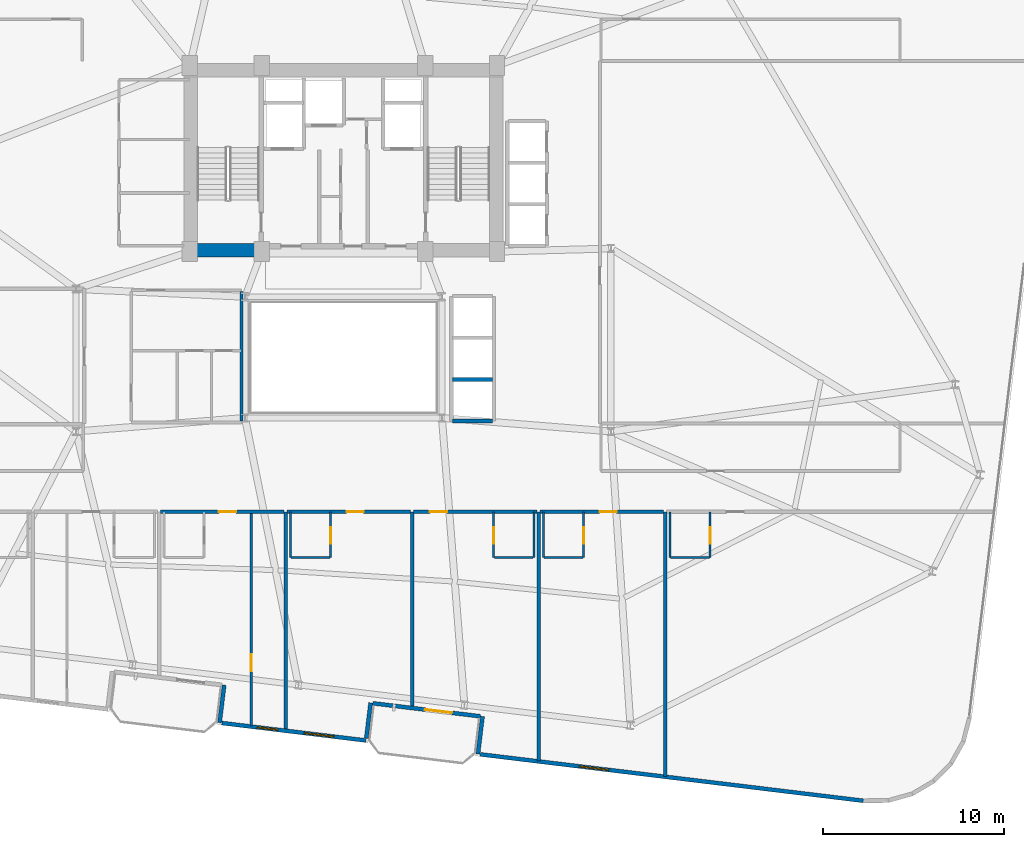
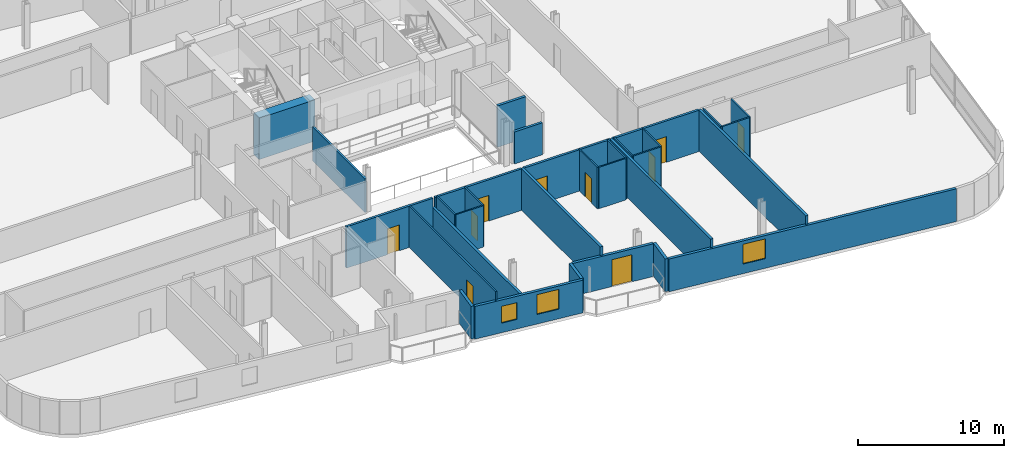
# One storey, part 21 of 26: 31 walls, 10 doors, 3 windows, 13 openings.
"""IFC4 building model written with IfcOpenShell, lengths in metres."""

from ifc_helpers import new_model, si_unit, direction, frame, frame_2d, origin, place, context, subcontext, project, spatial, rectangle, extrude, material, layer, layer_set, type_object, element, fill, save


model = new_model("IFC4")

# Units and contexts
model_context = context("Model", 3, precision=1e-05, world=origin(), true_north=direction((0.0, 1.0)))
body_context = subcontext(model_context, "Body", "Model", "MODEL_VIEW")
ifc_project = project(units=[si_unit("LENGTHUNIT", "METRE"), si_unit("AREAUNIT", "SQUARE_METRE"), si_unit("VOLUMEUNIT", "CUBIC_METRE"), si_unit("PLANEANGLEUNIT", "RADIAN"), si_unit("MASSUNIT", "GRAM", prefix="KILO")], contexts=[model_context])

# Site, building, storey
site_placement = place(None, origin())
site = spatial("IfcSite", under=ifc_project, at=site_placement, CompositionType="ELEMENT")
building_placement = place(site_placement, origin())
building = spatial("IfcBuilding", under=site, at=building_placement, Name="Varnelok Gate Tower", CompositionType="ELEMENT")
storey_placement = place(building_placement, frame((0.0, 0.0, 155.0)))
storey = spatial("IfcBuildingStorey", under=building, at=storey_placement, Name="L39", CompositionType="ELEMENT", Elevation=155.0)

# Wall, opening, door
ifc_material_1 = material(Name="Concrete C45/55", Category="concrete")
ifc_layer_1 = layer(ifc_material_1, 0.219970703125)
ifc_layer_set_1 = layer_set([ifc_layer_1], Name="Concrete C45/55")
wall_type_1 = type_object("IfcWallType", Name="EW-BALC-220", PredefinedType="SOLIDWALL", material=ifc_layer_set_1)
wall_1_placement = place(storey_placement, frame((46.77587890625, 3.03662109375, 0.0), z_axis=(0.0, 0.0, 1.0), x_axis=(-0.992735402148, 0.120318000826, 0.0)))
wall_1 = element("IfcWall", 1, at=wall_1_placement, inside=storey, type_object=wall_type_1, Name="L39 South Terrace Envelope Wall 2", PredefinedType="SOLIDWALL", context=body_context, shape_type="SweptSolid", body=[
    extrude(rectangle(XDim=6.000244140625, YDim=0.219970703125, at=frame_2d((3.0, 0.0))), origin(), (0.0, 0.0, 1.0), 2.72998046875),
])
opening_1_placement = place(wall_1_placement, frame((1.583984375, 0.0, 0.0)))
opening_1 = element("IfcOpeningElement", 2, at=opening_1_placement, cuts=wall_1, Name="Opening BD-1", PredefinedType="OPENING", context=body_context, shape_type="SweptSolid", body=[
    extrude(rectangle(XDim=1.5, YDim=2.25, at=frame_2d((0.75, 1.125))), frame((0.0, 0.119873046875, 0.0), z_axis=(0.0, -1.0, 0.0), x_axis=(1.0, 0.0, 0.0)), (0.0, 0.0, 1.0), 0.239990234375),
])
ifc_material_2 = material(Name="Anodized Aluminum Alloy 6063-T6", Category="aluminium")
door_type_1 = type_object("IfcDoorType", Name="DR-EXT-BALC1500", OperationType="NOTDEFINED", PredefinedType="DOOR", material=ifc_material_2)
door_1_placement = place(opening_1_placement, origin())
door_1 = element("IfcDoor", 3, at=door_1_placement, inside=storey, type_object=door_type_1, Name="L39 South Balcony Glazed Door 2", OperationType="SINGLE_SWING_LEFT", OverallHeight=2.25, OverallWidth=1.5, PredefinedType="DOOR", context=body_context, shape_type="SweptSolid", body=[
    extrude(rectangle(XDim=1.5, YDim=2.25, at=frame_2d((0.75, 1.125))), frame((0.0, 0.02490234375, 0.0), z_axis=(0.0, -1.0, 0.0), x_axis=(1.0, 0.0, 0.0)), (0.0, 0.0, 1.0), 0.050048828125),
])
fill(opening_1, door_1)

# Wall
wall_2_placement = place(storey_placement, frame((32.600830078125, 4.764892578125, 0.0), z_axis=(0.0, 0.0, 1.0), x_axis=(-0.120327895535, -0.992734202874, 0.0)))
element("IfcWall", 4, at=wall_2_placement, inside=storey, type_object=wall_type_1, Name="L39 Perimeter Facade Closure Wall 9", PredefinedType="SOLIDWALL", context=body_context, shape_type="SweptSolid", body=[
    extrude(rectangle(XDim=2.099853515625, YDim=0.219970703125, at=frame_2d((1.0498046875, 0.0))), origin(), (0.0, 0.0, 1.0), 2.72998046875),
])

# Wall, openings, windows
wall_3_placement = place(storey_placement, frame((32.47216796875, 2.6650390625, 0.0), z_axis=(0.0, 0.0, 1.0), x_axis=(0.992734661931, -0.120324108143, 0.0)))
wall_3 = element("IfcWall", 5, at=wall_3_placement, inside=storey, type_object=wall_type_1, Name="L39 Perimeter Facade Closure Wall 10", PredefinedType="SOLIDWALL", context=body_context, shape_type="SweptSolid", body=[
    extrude(rectangle(XDim=8.034912109375, YDim=0.219970703125, at=frame_2d((4.017578125, 0.0))), origin(), (0.0, 0.0, 1.0), 2.72998046875),
])
opening_2_placement = place(wall_3_placement, frame((4.59716796875, 0.0, 0.800048828125)))
opening_2 = element("IfcOpeningElement", 6, at=opening_2_placement, cuts=wall_3, Name="Opening WN3", PredefinedType="OPENING", context=body_context, shape_type="SweptSolid", body=[
    extrude(rectangle(XDim=1.64990234375, YDim=1.64990234375, at=frame_2d((0.824951171875, 0.824951171875))), frame((0.0, 0.119873046875, 0.0), z_axis=(0.0, -1.0, 0.0), x_axis=(1.0, 0.0, 0.0)), (0.0, 0.0, 1.0), 0.239990234375),
])
opening_3_placement = place(wall_3_placement, frame((1.968505859375, 0.0, 0.800048828125)))
opening_3 = element("IfcOpeningElement", 7, at=opening_3_placement, cuts=wall_3, Name="Opening WN8", PredefinedType="OPENING", context=body_context, shape_type="SweptSolid", body=[
    extrude(rectangle(XDim=1.14990234375, YDim=1.39990234375, at=frame_2d((0.574951171875, 0.699951171875))), frame((0.0, 0.119873046875, 0.0), z_axis=(0.0, -1.0, 0.0), x_axis=(1.0, 0.0, 0.0)), (0.0, 0.0, 1.0), 0.239990234375),
])
ifc_material_3 = material(Name="Low-E Laminated Double Glazing IGU", Category="glass")
window_type_1 = type_object("IfcWindowType", Name="WN-BED-1150", PartitioningType="SINGLE_PANEL", PredefinedType="WINDOW", material=ifc_material_3)
window_1_placement = place(opening_3_placement, origin())
window_1 = element("IfcWindow", 8, at=window_1_placement, inside=storey, type_object=window_type_1, Name="L39 Bedroom Vision Window 17", OverallHeight=1.39990234375, OverallWidth=1.14990234375, PartitioningType="SINGLE_PANEL", PredefinedType="WINDOW", context=body_context, shape_type="SweptSolid", body=[
    extrude(rectangle(XDim=1.14990234375, YDim=1.39990234375, at=frame_2d((0.574951171875, 0.699951171875))), frame((0.0, 0.030029296875, 0.0), z_axis=(0.0, -1.0, 0.0), x_axis=(1.0, 0.0, 0.0)), (0.0, 0.0, 1.0), 0.06005859375),
])
fill(opening_3, window_1)
window_type_2 = type_object("IfcWindowType", Name="WN-HTL-1650", PartitioningType="SINGLE_PANEL", PredefinedType="WINDOW", material=ifc_material_3)
window_2_placement = place(opening_2_placement, origin())
window_2 = element("IfcWindow", 9, at=window_2_placement, inside=storey, type_object=window_type_2, Name="L39 Perimeter Vision Window 10", OverallHeight=1.64990234375, OverallWidth=1.64990234375, PartitioningType="SINGLE_PANEL", PredefinedType="WINDOW", context=body_context, shape_type="SweptSolid", body=[
    extrude(rectangle(XDim=1.64990234375, YDim=1.64990234375, at=frame_2d((0.824951171875, 0.824951171875))), frame((0.0, 0.030029296875, 0.0), z_axis=(0.0, -1.0, 0.0), x_axis=(1.0, 0.0, 0.0)), (0.0, 0.0, 1.0), 0.06005859375),
])
fill(opening_2, window_2)

# Walls
wall_4_placement = place(storey_placement, frame((40.4638671875, 1.822265625, 0.0), z_axis=(0.0, 0.0, 1.0), x_axis=(0.120275992932, 0.992740492538, 0.0)))
element("IfcWall", 10, at=wall_4_placement, inside=storey, type_object=wall_type_1, Name="L39 Perimeter Facade Closure Wall 11", PredefinedType="SOLIDWALL", context=body_context, shape_type="SweptSolid", body=[
    extrude(rectangle(XDim=1.97509765625, YDim=0.219970703125, at=frame_2d((0.987548828125, 0.0))), origin(), (0.0, 0.0, 1.0), 2.72998046875),
])
wall_5_placement = place(storey_placement, frame((46.89599609375, 3.031982421875, 0.0), z_axis=(0.0, 0.0, 1.0), x_axis=(-0.120327895535, -0.992734202874, 0.0)))
element("IfcWall", 11, at=wall_5_placement, inside=storey, type_object=wall_type_1, Name="L39 Perimeter Facade Closure Wall 12", PredefinedType="SOLIDWALL", context=body_context, shape_type="SweptSolid", body=[
    extrude(rectangle(XDim=2.099853515625, YDim=0.219970703125, at=frame_2d((1.0498046875, 0.0))), origin(), (0.0, 0.0, 1.0), 2.72998046875),
])

# Wall, opening, window
wall_6_placement = place(storey_placement, frame((46.767578125, 0.93212890625, 0.0), z_axis=(0.0, 0.0, 1.0), x_axis=(0.992733036814, -0.120337515419, 0.0)))
wall_6 = element("IfcWall", 12, at=wall_6_placement, inside=storey, type_object=wall_type_1, Name="L39 Perimeter Facade Closure Wall 13", PredefinedType="SOLIDWALL", context=body_context, shape_type="SweptSolid", body=[
    extrude(rectangle(XDim=21.346923828125, YDim=0.219970703125, at=frame_2d((10.67333984375, 0.0))), origin(), (0.0, 0.0, 1.0), 2.72998046875),
])
opening_4_placement = place(wall_6_placement, frame((5.51513671875, 0.0, 0.800048828125)))
opening_4 = element("IfcOpeningElement", 13, at=opening_4_placement, cuts=wall_6, Name="Opening WN3", PredefinedType="OPENING", context=body_context, shape_type="SweptSolid", body=[
    extrude(rectangle(XDim=1.64990234375, YDim=1.64990234375, at=frame_2d((0.824951171875, 0.824951171875))), frame((0.0, 0.119873046875, 0.0), z_axis=(0.0, -1.0, 0.0), x_axis=(1.0, 0.0, 0.0)), (0.0, 0.0, 1.0), 0.239990234375),
])
window_3_placement = place(opening_4_placement, origin())
window_3 = element("IfcWindow", 14, at=window_3_placement, inside=storey, type_object=window_type_2, Name="L39 Perimeter Vision Window 13", OverallHeight=1.64990234375, OverallWidth=1.64990234375, PartitioningType="SINGLE_PANEL", PredefinedType="WINDOW", context=body_context, shape_type="SweptSolid", body=[
    extrude(rectangle(XDim=1.64990234375, YDim=1.64990234375, at=frame_2d((0.824951171875, 0.824951171875))), frame((0.0, 0.030029296875, 0.0), z_axis=(0.0, -1.0, 0.0), x_axis=(1.0, 0.0, 0.0)), (0.0, 0.0, 1.0), 0.06005859375),
])
fill(opening_4, window_3)

# Wall, opening, door
ifc_material_4 = material(Name="Gypsum Plasterboard Acoustic Partition", Category="gypsum")
ifc_layer_2 = layer(ifc_material_4, 0.179931640625)
ifc_layer_set_2 = layer_set([ifc_layer_2], Name="Gypsum Plasterboard Acoustic Partition")
wall_type_2 = type_object("IfcWallType", Name="PW-CORR-180", PredefinedType="PARTITIONING", material=ifc_layer_set_2)
wall_7_placement = place(storey_placement, frame((29.080078125, 14.35009765625, 0.0), z_axis=(0.0, 0.0, 1.0), x_axis=(1.0, 0.0, 0.0)))
wall_7 = element("IfcWall", 15, at=wall_7_placement, inside=storey, type_object=wall_type_2, Name="Interior Partition", PredefinedType="PARTITIONING", context=body_context, shape_type="SweptSolid", body=[
    extrude(rectangle(XDim=6.83984375, YDim=0.179931640625, at=frame_2d((3.419921875, 0.0))), origin(), (0.0, 0.0, 1.0), 3.449951171875),
])
opening_5_placement = place(wall_7_placement, frame((3.22998046875, 0.0, 0.0)))
opening_5 = element("IfcOpeningElement", 16, at=opening_5_placement, cuts=wall_7, Name="Opening D-HT", PredefinedType="OPENING", context=body_context, shape_type="SweptSolid", body=[
    extrude(rectangle(XDim=0.949951171875, YDim=2.14990234375, at=frame_2d((0.47509765625, 1.074951171875))), frame((0.0, 0.099853515625, 0.0), z_axis=(0.0, -1.0, 0.0), x_axis=(1.0, 0.0, 0.0)), (0.0, 0.0, 1.0), 0.199951171875),
])
ifc_material_5 = material(Name="Engineered Hardwood Timber", Category="wood")
door_type_2 = type_object("IfcDoorType", Name="DR-HTL-950", OperationType="NOTDEFINED", PredefinedType="DOOR", material=ifc_material_5)
door_2_placement = place(opening_5_placement, origin())
door_2 = element("IfcDoor", 17, at=door_2_placement, inside=storey, type_object=door_type_2, Name="L39 Guest Room 04 Entrance Door", OperationType="SINGLE_SWING_LEFT", OverallHeight=2.14990234375, OverallWidth=0.949951171875, PredefinedType="DOOR", context=body_context, shape_type="SweptSolid", body=[
    extrude(rectangle(XDim=0.949951171875, YDim=2.14990234375, at=frame_2d((0.47509765625, 1.074951171875))), frame((0.0, 0.02490234375, 0.0), z_axis=(0.0, -1.0, 0.0), x_axis=(1.0, 0.0, 0.0)), (0.0, 0.0, 1.0), 0.050048828125),
])
fill(opening_5, door_2)

wall_8_placement = place(storey_placement, frame((36.080078125, 14.35009765625, 0.0), z_axis=(0.0, 0.0, 1.0), x_axis=(1.0, 0.0, 0.0)))
wall_8 = element("IfcWall", 18, at=wall_8_placement, inside=storey, type_object=wall_type_2, Name="Interior Partition", PredefinedType="PARTITIONING", context=body_context, shape_type="SweptSolid", body=[
    extrude(rectangle(XDim=6.83984375, YDim=0.179931640625, at=frame_2d((3.419921875, 0.0))), origin(), (0.0, 0.0, 1.0), 3.449951171875),
])
opening_6_placement = place(wall_8_placement, frame((3.2900390625, 0.0, 0.0)))
opening_6 = element("IfcOpeningElement", 19, at=opening_6_placement, cuts=wall_8, Name="Opening D-HT", PredefinedType="OPENING", context=body_context, shape_type="SweptSolid", body=[
    extrude(rectangle(XDim=0.949951171875, YDim=2.14990234375, at=frame_2d((0.47509765625, 1.074951171875))), frame((0.0, 0.099853515625, 0.0), z_axis=(0.0, -1.0, 0.0), x_axis=(1.0, 0.0, 0.0)), (0.0, 0.0, 1.0), 0.199951171875),
])
door_3_placement = place(opening_6_placement, origin())
door_3 = element("IfcDoor", 20, at=door_3_placement, inside=storey, type_object=door_type_2, Name="L39 Guest Room 05 Entrance Door", OperationType="SINGLE_SWING_RIGHT", OverallHeight=2.14990234375, OverallWidth=0.949951171875, PredefinedType="DOOR", context=body_context, shape_type="SweptSolid", body=[
    extrude(rectangle(XDim=0.949951171875, YDim=2.14990234375, at=frame_2d((0.47509765625, 1.074951171875))), frame((0.0, 0.02490234375, 0.0), z_axis=(0.0, -1.0, 0.0), x_axis=(1.0, 0.0, 0.0)), (0.0, 0.0, 1.0), 0.050048828125),
])
fill(opening_6, door_3)

wall_9_placement = place(storey_placement, frame((43.080078125, 14.35009765625, 0.0), z_axis=(0.0, 0.0, 1.0), x_axis=(1.0, 0.0, 0.0)))
wall_9 = element("IfcWall", 21, at=wall_9_placement, inside=storey, type_object=wall_type_2, Name="Interior Partition", PredefinedType="PARTITIONING", context=body_context, shape_type="SweptSolid", body=[
    extrude(rectangle(XDim=6.83984375, YDim=0.179931640625, at=frame_2d((3.419921875, 0.0))), origin(), (0.0, 0.0, 1.0), 3.449951171875),
])
opening_7_placement = place(wall_9_placement, frame((0.89990234375, 0.0, 0.0)))
opening_7 = element("IfcOpeningElement", 22, at=opening_7_placement, cuts=wall_9, Name="Opening D-HT", PredefinedType="OPENING", context=body_context, shape_type="SweptSolid", body=[
    extrude(rectangle(XDim=0.949951171875, YDim=2.14990234375, at=frame_2d((0.47509765625, 1.074951171875))), frame((0.0, 0.099853515625, 0.0), z_axis=(0.0, -1.0, 0.0), x_axis=(1.0, 0.0, 0.0)), (0.0, 0.0, 1.0), 0.199951171875),
])
door_4_placement = place(opening_7_placement, origin())
door_4 = element("IfcDoor", 23, at=door_4_placement, inside=storey, type_object=door_type_2, Name="L39 Guest Room 06 Entrance Door", OperationType="SINGLE_SWING_LEFT", OverallHeight=2.14990234375, OverallWidth=0.949951171875, PredefinedType="DOOR", context=body_context, shape_type="SweptSolid", body=[
    extrude(rectangle(XDim=0.949951171875, YDim=2.14990234375, at=frame_2d((0.47509765625, 1.074951171875))), frame((0.0, 0.02490234375, 0.0), z_axis=(0.0, -1.0, 0.0), x_axis=(1.0, 0.0, 0.0)), (0.0, 0.0, 1.0), 0.050048828125),
])
fill(opening_7, door_4)

wall_10_placement = place(storey_placement, frame((50.080078125, 14.35009765625, 0.0), z_axis=(0.0, 0.0, 1.0), x_axis=(1.0, 0.0, 0.0)))
wall_10 = element("IfcWall", 24, at=wall_10_placement, inside=storey, type_object=wall_type_2, Name="Interior Partition", PredefinedType="PARTITIONING", context=body_context, shape_type="SweptSolid", body=[
    extrude(rectangle(XDim=6.83984375, YDim=0.179931640625, at=frame_2d((3.419921875, 0.0))), origin(), (0.0, 0.0, 1.0), 3.449951171875),
])
opening_8_placement = place(wall_10_placement, frame((3.2900390625, 0.0, 0.0)))
opening_8 = element("IfcOpeningElement", 25, at=opening_8_placement, cuts=wall_10, Name="Opening D-HT", PredefinedType="OPENING", context=body_context, shape_type="SweptSolid", body=[
    extrude(rectangle(XDim=0.949951171875, YDim=2.14990234375, at=frame_2d((0.47509765625, 1.074951171875))), frame((0.0, 0.099853515625, 0.0), z_axis=(0.0, -1.0, 0.0), x_axis=(1.0, 0.0, 0.0)), (0.0, 0.0, 1.0), 0.199951171875),
])
door_5_placement = place(opening_8_placement, origin())
door_5 = element("IfcDoor", 26, at=door_5_placement, inside=storey, type_object=door_type_2, Name="L39 Guest Room 07 Entrance Door", OperationType="SINGLE_SWING_RIGHT", OverallHeight=2.14990234375, OverallWidth=0.949951171875, PredefinedType="DOOR", context=body_context, shape_type="SweptSolid", body=[
    extrude(rectangle(XDim=0.949951171875, YDim=2.14990234375, at=frame_2d((0.47509765625, 1.074951171875))), frame((0.0, 0.02490234375, 0.0), z_axis=(0.0, -1.0, 0.0), x_axis=(1.0, 0.0, 0.0)), (0.0, 0.0, 1.0), 0.050048828125),
])
fill(opening_8, door_5)

# Wall
ifc_layer_3 = layer(ifc_material_4, 0.114990234375)
ifc_layer_set_3 = layer_set([ifc_layer_3], Name="Gypsum Plasterboard Acoustic Partition")
wall_type_3 = type_object("IfcWallType", Name="PW-ENS-125", PredefinedType="PARTITIONING", material=ifc_layer_set_3)
wall_11_placement = place(storey_placement, frame((36.300048828125, 11.830078125, 0.0), z_axis=(0.0, 0.0, 1.0), x_axis=(1.0, 0.0, 0.0)))
element("IfcWall", 27, at=wall_11_placement, inside=storey, type_object=wall_type_3, Name="Interior Partition", PredefinedType="PARTITIONING", context=body_context, shape_type="SweptSolid", body=[
    extrude(rectangle(XDim=2.14990234375, YDim=0.114990234375, at=frame_2d((1.074951171875, 0.0))), origin(), (0.0, 0.0, 1.0), 3.449951171875),
])

# Wall, opening, door
wall_12_placement = place(storey_placement, frame((38.489990234375, 11.830078125, 0.0), z_axis=(0.0, 0.0, 1.0), x_axis=(0.0, 1.0, 0.0)))
wall_12 = element("IfcWall", 28, at=wall_12_placement, inside=storey, type_object=wall_type_3, Name="Interior Partition", PredefinedType="PARTITIONING", context=body_context, shape_type="SweptSolid", body=[
    extrude(rectangle(XDim=2.52001953125, YDim=0.114990234375, at=frame_2d((1.260009765625, 0.0))), origin(), (0.0, 0.0, 1.0), 3.449951171875),
])
opening_9_placement = place(wall_12_placement, frame((0.760009765625, 0.0, 0.0)))
opening_9 = element("IfcOpeningElement", 29, at=opening_9_placement, cuts=wall_12, Name="Opening D-WC", PredefinedType="OPENING", context=body_context, shape_type="SweptSolid", body=[
    extrude(rectangle(XDim=0.89990234375, YDim=2.050048828125, at=frame_2d((0.449951171875, 1.02490234375))), frame((0.0, 0.0673828125, 0.0), z_axis=(0.0, -1.0, 0.0), x_axis=(1.0, 0.0, 0.0)), (0.0, 0.0, 1.0), 0.135009765625),
])
door_type_3 = type_object("IfcDoorType", Name="DR-BATH-900", OperationType="NOTDEFINED", PredefinedType="DOOR", material=ifc_material_5)
door_6_placement = place(opening_9_placement, origin())
door_6 = element("IfcDoor", 30, at=door_6_placement, inside=storey, type_object=door_type_3, Name="L39 Guest En-Suite 05 Door", OperationType="SINGLE_SWING_LEFT", OverallHeight=2.050048828125, OverallWidth=0.89990234375, PredefinedType="DOOR", context=body_context, shape_type="SweptSolid", body=[
    extrude(rectangle(XDim=0.89990234375, YDim=2.050048828125, at=frame_2d((0.449951171875, 1.02490234375))), frame((0.0, 0.02490234375, 0.0), z_axis=(0.0, -1.0, 0.0), x_axis=(1.0, 0.0, 0.0)), (0.0, 0.0, 1.0), 0.050048828125),
])
fill(opening_9, door_6)

# Walls
wall_13_placement = place(storey_placement, frame((36.260009765625, 11.830078125, 0.0), z_axis=(0.0, 0.0, 1.0), x_axis=(0.0, 1.0, 0.0)))
element("IfcWall", 31, at=wall_13_placement, inside=storey, type_object=wall_type_3, Name="Interior Partition", PredefinedType="PARTITIONING", context=body_context, shape_type="SweptSolid", body=[
    extrude(rectangle(XDim=2.52001953125, YDim=0.114990234375, at=frame_2d((1.260009765625, 0.0))), origin(), (0.0, 0.0, 1.0), 3.449951171875),
])
wall_14_placement = place(storey_placement, frame((47.550048828125, 11.830078125, 0.0), z_axis=(0.0, 0.0, 1.0), x_axis=(1.0, 0.0, 0.0)))
element("IfcWall", 32, at=wall_14_placement, inside=storey, type_object=wall_type_3, Name="Interior Partition", PredefinedType="PARTITIONING", context=body_context, shape_type="SweptSolid", body=[
    extrude(rectangle(XDim=2.14990234375, YDim=0.114990234375, at=frame_2d((1.074951171875, 0.0))), origin(), (0.0, 0.0, 1.0), 3.449951171875),
])

# Wall, opening, door
wall_15_placement = place(storey_placement, frame((47.510009765625, 11.830078125, 0.0), z_axis=(0.0, 0.0, 1.0), x_axis=(0.0, 1.0, 0.0)))
wall_15 = element("IfcWall", 33, at=wall_15_placement, inside=storey, type_object=wall_type_3, Name="Interior Partition", PredefinedType="PARTITIONING", context=body_context, shape_type="SweptSolid", body=[
    extrude(rectangle(XDim=2.52001953125, YDim=0.114990234375, at=frame_2d((1.260009765625, 0.0))), origin(), (0.0, 0.0, 1.0), 3.449951171875),
])
opening_10_placement = place(wall_15_placement, frame((0.760009765625, 0.0, 0.0)))
opening_10 = element("IfcOpeningElement", 34, at=opening_10_placement, cuts=wall_15, Name="Opening D-WC", PredefinedType="OPENING", context=body_context, shape_type="SweptSolid", body=[
    extrude(rectangle(XDim=0.89990234375, YDim=2.050048828125, at=frame_2d((0.449951171875, 1.02490234375))), frame((0.0, 0.0673828125, 0.0), z_axis=(0.0, -1.0, 0.0), x_axis=(1.0, 0.0, 0.0)), (0.0, 0.0, 1.0), 0.135009765625),
])
door_7_placement = place(opening_10_placement, origin())
door_7 = element("IfcDoor", 35, at=door_7_placement, inside=storey, type_object=door_type_3, Name="L39 Guest En-Suite 06 Door", OperationType="SINGLE_SWING_RIGHT", OverallHeight=2.050048828125, OverallWidth=0.89990234375, PredefinedType="DOOR", context=body_context, shape_type="SweptSolid", body=[
    extrude(rectangle(XDim=0.89990234375, YDim=2.050048828125, at=frame_2d((0.449951171875, 1.02490234375))), frame((0.0, 0.02490234375, 0.0), z_axis=(0.0, -1.0, 0.0), x_axis=(1.0, 0.0, 0.0)), (0.0, 0.0, 1.0), 0.050048828125),
])
fill(opening_10, door_7)

# Walls
wall_16_placement = place(storey_placement, frame((49.739990234375, 11.830078125, 0.0), z_axis=(0.0, 0.0, 1.0), x_axis=(0.0, 1.0, 0.0)))
element("IfcWall", 36, at=wall_16_placement, inside=storey, type_object=wall_type_3, Name="Interior Partition", PredefinedType="PARTITIONING", context=body_context, shape_type="SweptSolid", body=[
    extrude(rectangle(XDim=2.52001953125, YDim=0.114990234375, at=frame_2d((1.260009765625, 0.0))), origin(), (0.0, 0.0, 1.0), 3.449951171875),
])
wall_17_placement = place(storey_placement, frame((50.300048828125, 11.830078125, 0.0), z_axis=(0.0, 0.0, 1.0), x_axis=(1.0, 0.0, 0.0)))
element("IfcWall", 37, at=wall_17_placement, inside=storey, type_object=wall_type_3, Name="Interior Partition", PredefinedType="PARTITIONING", context=body_context, shape_type="SweptSolid", body=[
    extrude(rectangle(XDim=2.14990234375, YDim=0.114990234375, at=frame_2d((1.074951171875, 0.0))), origin(), (0.0, 0.0, 1.0), 3.449951171875),
])

# Wall, opening, door
wall_18_placement = place(storey_placement, frame((52.489990234375, 11.830078125, 0.0), z_axis=(0.0, 0.0, 1.0), x_axis=(0.0, 1.0, 0.0)))
wall_18 = element("IfcWall", 38, at=wall_18_placement, inside=storey, type_object=wall_type_3, Name="Interior Partition", PredefinedType="PARTITIONING", context=body_context, shape_type="SweptSolid", body=[
    extrude(rectangle(XDim=2.52001953125, YDim=0.114990234375, at=frame_2d((1.260009765625, 0.0))), origin(), (0.0, 0.0, 1.0), 3.449951171875),
])
opening_11_placement = place(wall_18_placement, frame((0.760009765625, 0.0, 0.0)))
opening_11 = element("IfcOpeningElement", 39, at=opening_11_placement, cuts=wall_18, Name="Opening D-WC", PredefinedType="OPENING", context=body_context, shape_type="SweptSolid", body=[
    extrude(rectangle(XDim=0.89990234375, YDim=2.050048828125, at=frame_2d((0.449951171875, 1.02490234375))), frame((0.0, 0.0673828125, 0.0), z_axis=(0.0, -1.0, 0.0), x_axis=(1.0, 0.0, 0.0)), (0.0, 0.0, 1.0), 0.135009765625),
])
door_8_placement = place(opening_11_placement, origin())
door_8 = element("IfcDoor", 40, at=door_8_placement, inside=storey, type_object=door_type_3, Name="L39 Guest En-Suite 07 Door", OperationType="SINGLE_SWING_LEFT", OverallHeight=2.050048828125, OverallWidth=0.89990234375, PredefinedType="DOOR", context=body_context, shape_type="SweptSolid", body=[
    extrude(rectangle(XDim=0.89990234375, YDim=2.050048828125, at=frame_2d((0.449951171875, 1.02490234375))), frame((0.0, 0.02490234375, 0.0), z_axis=(0.0, -1.0, 0.0), x_axis=(1.0, 0.0, 0.0)), (0.0, 0.0, 1.0), 0.050048828125),
])
fill(opening_11, door_8)

# Walls
wall_19_placement = place(storey_placement, frame((50.260009765625, 11.830078125, 0.0), z_axis=(0.0, 0.0, 1.0), x_axis=(0.0, 1.0, 0.0)))
element("IfcWall", 41, at=wall_19_placement, inside=storey, type_object=wall_type_3, Name="Interior Partition", PredefinedType="PARTITIONING", context=body_context, shape_type="SweptSolid", body=[
    extrude(rectangle(XDim=2.52001953125, YDim=0.114990234375, at=frame_2d((1.260009765625, 0.0))), origin(), (0.0, 0.0, 1.0), 3.449951171875),
])
wall_20_placement = place(storey_placement, frame((57.300048828125, 11.830078125, 0.0), z_axis=(0.0, 0.0, 1.0), x_axis=(1.0, 0.0, 0.0)))
element("IfcWall", 42, at=wall_20_placement, inside=storey, type_object=wall_type_3, Name="Interior Partition", PredefinedType="PARTITIONING", context=body_context, shape_type="SweptSolid", body=[
    extrude(rectangle(XDim=2.14990234375, YDim=0.114990234375, at=frame_2d((1.074951171875, 0.0))), origin(), (0.0, 0.0, 1.0), 3.449951171875),
])

# Wall, opening, door
wall_21_placement = place(storey_placement, frame((59.489990234375, 11.830078125, 0.0), z_axis=(0.0, 0.0, 1.0), x_axis=(0.0, 1.0, 0.0)))
wall_21 = element("IfcWall", 43, at=wall_21_placement, inside=storey, type_object=wall_type_3, Name="Interior Partition", PredefinedType="PARTITIONING", context=body_context, shape_type="SweptSolid", body=[
    extrude(rectangle(XDim=2.52001953125, YDim=0.114990234375, at=frame_2d((1.260009765625, 0.0))), origin(), (0.0, 0.0, 1.0), 3.449951171875),
])
opening_12_placement = place(wall_21_placement, frame((0.760009765625, 0.0, 0.0)))
opening_12 = element("IfcOpeningElement", 44, at=opening_12_placement, cuts=wall_21, Name="Opening D-WC", PredefinedType="OPENING", context=body_context, shape_type="SweptSolid", body=[
    extrude(rectangle(XDim=0.89990234375, YDim=2.050048828125, at=frame_2d((0.449951171875, 1.02490234375))), frame((0.0, 0.0673828125, 0.0), z_axis=(0.0, -1.0, 0.0), x_axis=(1.0, 0.0, 0.0)), (0.0, 0.0, 1.0), 0.135009765625),
])
door_9_placement = place(opening_12_placement, origin())
door_9 = element("IfcDoor", 45, at=door_9_placement, inside=storey, type_object=door_type_3, Name="L39 Guest En-Suite 08 Door", OperationType="SINGLE_SWING_LEFT", OverallHeight=2.050048828125, OverallWidth=0.89990234375, PredefinedType="DOOR", context=body_context, shape_type="SweptSolid", body=[
    extrude(rectangle(XDim=0.89990234375, YDim=2.050048828125, at=frame_2d((0.449951171875, 1.02490234375))), frame((0.0, 0.02490234375, 0.0), z_axis=(0.0, -1.0, 0.0), x_axis=(1.0, 0.0, 0.0)), (0.0, 0.0, 1.0), 0.050048828125),
])
fill(opening_12, door_9)

# Wall
wall_22_placement = place(storey_placement, frame((57.260009765625, 11.830078125, 0.0), z_axis=(0.0, 0.0, 1.0), x_axis=(0.0, 1.0, 0.0)))
element("IfcWall", 46, at=wall_22_placement, inside=storey, type_object=wall_type_3, Name="Interior Partition", PredefinedType="PARTITIONING", context=body_context, shape_type="SweptSolid", body=[
    extrude(rectangle(XDim=2.52001953125, YDim=0.114990234375, at=frame_2d((1.260009765625, 0.0))), origin(), (0.0, 0.0, 1.0), 3.449951171875),
])

# Wall, opening, door
ifc_layer_4 = layer(ifc_material_4, 0.125)
ifc_layer_set_4 = layer_set([ifc_layer_4], Name="Gypsum Plasterboard Acoustic Partition")
wall_type_4 = type_object("IfcWallType", Name="PW-PART-125", PredefinedType="PARTITIONING", material=ifc_layer_set_4)
wall_23_placement = place(storey_placement, frame((34.10009765625, 2.488037109375, 0.0), z_axis=(0.0, 0.0, 1.0), x_axis=(0.0, 1.0, 0.0)))
wall_23 = element("IfcWall", 47, at=wall_23_placement, inside=storey, type_object=wall_type_4, Name="Interior Partition", PredefinedType="PARTITIONING", context=body_context, shape_type="SweptSolid", body=[
    extrude(rectangle(XDim=11.862060546875, YDim=0.125, at=frame_2d((5.93115234375, 0.0))), origin(), (0.0, 0.0, 1.0), 3.449951171875),
])
opening_13_placement = place(wall_23_placement, frame((3.0498046875, 0.0, 0.0)))
opening_13 = element("IfcOpeningElement", 48, at=opening_13_placement, cuts=wall_23, Name="Opening D-I3", PredefinedType="OPENING", context=body_context, shape_type="SweptSolid", body=[
    extrude(rectangle(XDim=0.919921875, YDim=2.050048828125, at=frame_2d((0.4599609375, 1.02490234375))), frame((0.0, 0.072509765625, 0.0), z_axis=(0.0, -1.0, 0.0), x_axis=(1.0, 0.0, 0.0)), (0.0, 0.0, 1.0), 0.14501953125),
])
door_type_4 = type_object("IfcDoorType", Name="DR-INT-920", OperationType="NOTDEFINED", PredefinedType="DOOR", material=ifc_material_5)
door_10_placement = place(opening_13_placement, origin())
door_10 = element("IfcDoor", 49, at=door_10_placement, inside=storey, type_object=door_type_4, Name="L39 Suite Bedroom Door 4", OperationType="SINGLE_SWING_LEFT", OverallHeight=2.050048828125, OverallWidth=0.919921875, PredefinedType="DOOR", context=body_context, shape_type="SweptSolid", body=[
    extrude(rectangle(XDim=0.919921875, YDim=2.050048828125, at=frame_2d((0.4599609375, 1.02490234375))), frame((0.0, 0.02490234375, 0.0), z_axis=(0.0, -1.0, 0.0), x_axis=(1.0, 0.0, 0.0)), (0.0, 0.0, 1.0), 0.050048828125),
])
fill(opening_13, door_10)

# Walls
ifc_layer_5 = layer(ifc_material_4, 0.14990234375)
ifc_layer_set_5 = layer_set([ifc_layer_5], Name="Gypsum Plasterboard Acoustic Partition")
wall_type_5 = type_object("IfcWallType", Name="PW-PART-150", PredefinedType="PARTITIONING", material=ifc_layer_set_5)
wall_24_placement = place(storey_placement, frame((33.56005859375, 19.3798828125, 0.0), z_axis=(0.0, 0.0, 1.0), x_axis=(0.0, 1.0, 0.0)))
element("IfcWall", 50, at=wall_24_placement, inside=storey, type_object=wall_type_5, Name="Interior Partition", PredefinedType="PARTITIONING", context=body_context, shape_type="SweptSolid", body=[
    extrude(rectangle(XDim=7.16015625, YDim=0.14990234375, at=frame_2d((3.580078125, 0.0))), origin(), (0.0, 0.0, 1.0), 2.823974609375),
])
ifc_layer_6 = layer(ifc_material_4, 0.205078125)
ifc_layer_set_6 = layer_set([ifc_layer_6], Name="Gypsum Plasterboard Acoustic Partition")
wall_type_6 = type_object("IfcWallType", Name="PW-PARTY-200", PredefinedType="PARTITIONING", material=ifc_layer_set_6)
wall_25_placement = place(storey_placement, frame((36.0, 2.257568359375, 0.0), z_axis=(0.0, 0.0, 1.0), x_axis=(0.0, 1.0, 0.0)))
element("IfcWall", 51, at=wall_25_placement, inside=storey, type_object=wall_type_6, Name="L39 South Party Wall 4", PredefinedType="PARTITIONING", context=body_context, shape_type="SweptSolid", body=[
    extrude(rectangle(XDim=12.092529296875, YDim=0.205078125, at=frame_2d((6.04638671875, 0.0))), origin(), (0.0, 0.0, 1.0), 2.662109375),
])
wall_26_placement = place(storey_placement, frame((43.0, 3.5244140625, 0.0), z_axis=(0.0, 0.0, 1.0), x_axis=(0.0, 1.0, 0.0)))
element("IfcWall", 52, at=wall_26_placement, inside=storey, type_object=wall_type_6, Name="L39 South Party Wall 5", PredefinedType="PARTITIONING", context=body_context, shape_type="SweptSolid", body=[
    extrude(rectangle(XDim=10.82568359375, YDim=0.205078125, at=frame_2d((5.412841796875, 0.0))), origin(), (0.0, 0.0, 1.0), 3.449951171875),
])
wall_27_placement = place(storey_placement, frame((50.0, 0.560546875, 0.0), z_axis=(0.0, 0.0, 1.0), x_axis=(0.0, 1.0, 0.0)))
element("IfcWall", 53, at=wall_27_placement, inside=storey, type_object=wall_type_6, Name="L39 South Party Wall 6", PredefinedType="PARTITIONING", context=body_context, shape_type="SweptSolid", body=[
    extrude(rectangle(XDim=13.78955078125, YDim=0.205078125, at=frame_2d((6.894775390625, 0.0))), origin(), (0.0, 0.0, 1.0), 3.449951171875),
])
wall_28_placement = place(storey_placement, frame((57.0, -0.2880859375, 0.0), z_axis=(0.0, 0.0, 1.0), x_axis=(0.0, 1.0, 0.0)))
element("IfcWall", 54, at=wall_28_placement, inside=storey, type_object=wall_type_6, Name="L39 South Party Wall 7", PredefinedType="PARTITIONING", context=body_context, shape_type="SweptSolid", body=[
    extrude(rectangle(XDim=14.63818359375, YDim=0.205078125, at=frame_2d((7.319091796875, 0.0))), origin(), (0.0, 0.0, 1.0), 3.449951171875),
])
ifc_material_6 = material(Name="Concrete C35/45", Category="concrete")
ifc_layer_7 = layer(ifc_material_6, 0.199951171875)
ifc_layer_set_7 = layer_set([ifc_layer_7], Name="Concrete C35/45")
wall_type_7 = type_object("IfcWallType", Name="PW-SHAFT-200", PredefinedType="PARTITIONING", material=ifc_layer_set_7)
wall_29_placement = place(storey_placement, frame((45.239990234375, 21.675048828125, 0.0), z_axis=(0.0, 0.0, 1.0), x_axis=(1.0, 0.0, 0.0)))
element("IfcWall", 55, at=wall_29_placement, inside=storey, type_object=wall_type_7, Name="L39 PH1 Divider", PredefinedType="PARTITIONING", context=body_context, shape_type="SweptSolid", body=[
    extrude(rectangle(XDim=2.219970703125, YDim=0.199951171875, at=frame_2d((1.10986328125, 0.0))), origin(), (0.0, 0.0, 1.0), 3.449951171875),
])
wall_30_placement = place(storey_placement, frame((45.239990234375, 19.3798828125, 0.0), z_axis=(0.0, 0.0, 1.0), x_axis=(1.0, 0.0, 0.0)))
element("IfcWall", 56, at=wall_30_placement, inside=storey, type_object=wall_type_7, Name="L39 PH Bank South Wall", PredefinedType="PARTITIONING", context=body_context, shape_type="SweptSolid", body=[
    extrude(rectangle(XDim=2.219970703125, YDim=0.199951171875, at=frame_2d((1.10986328125, 0.0))), origin(), (0.0, 0.0, 1.0), 2.662109375),
])
ifc_material_7 = material(Name="Concrete C70/85", Category="concrete")
ifc_layer_8 = layer(ifc_material_7, 0.75)
ifc_layer_set_8 = layer_set([ifc_layer_8], Name="Concrete C70/85")
wall_type_8 = type_object("IfcWallType", Name="SW-CORE-750", PredefinedType="SHEAR", material=ifc_layer_set_8)
wall_31_placement = place(storey_placement, frame((30.3798828125, 28.824951171875, 0.0), z_axis=(0.0, 0.0, 1.0), x_axis=(1.0, 0.0, 0.0)))
element("IfcWall", 57, at=wall_31_placement, inside=storey, type_object=wall_type_8, Name="L39 Rear Core South-West Shear Wall", PredefinedType="SHEAR", context=body_context, shape_type="SweptSolid", body=[
    extrude(rectangle(XDim=4.420166015625, YDim=0.75, at=frame_2d((2.2099609375, 0.0))), origin(), (0.0, 0.0, 1.0), 3.449951171875),
])

save(model, "model.ifc")
